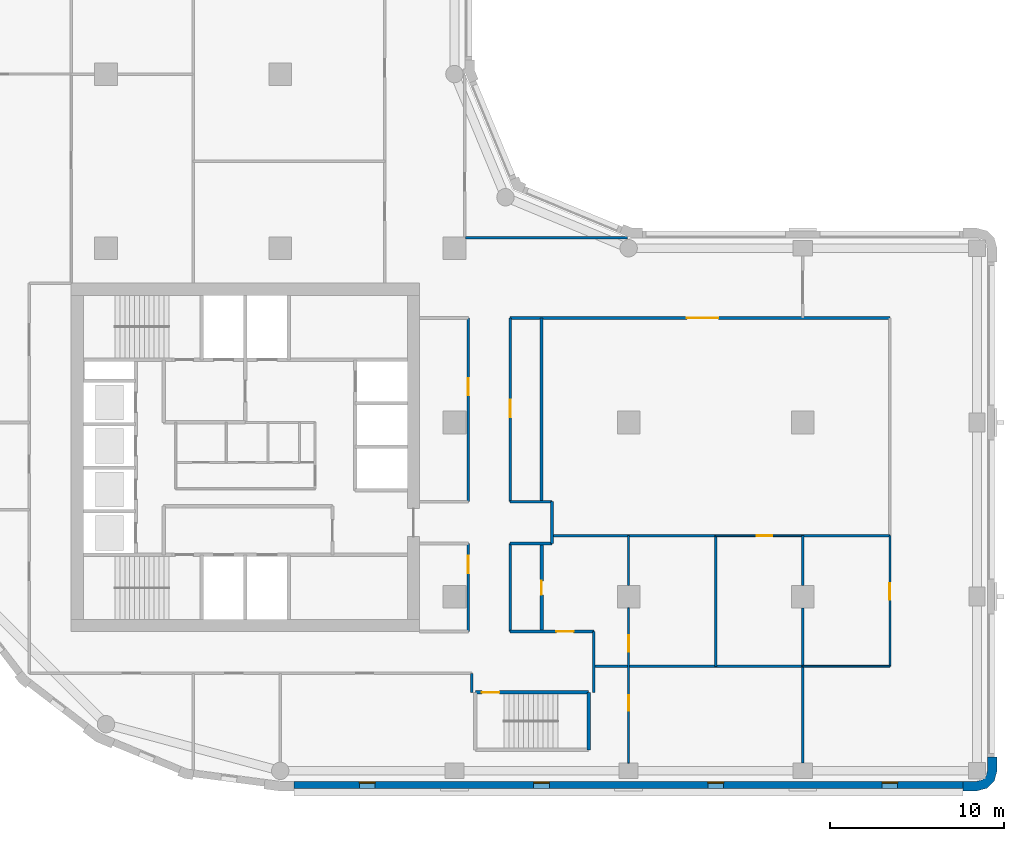
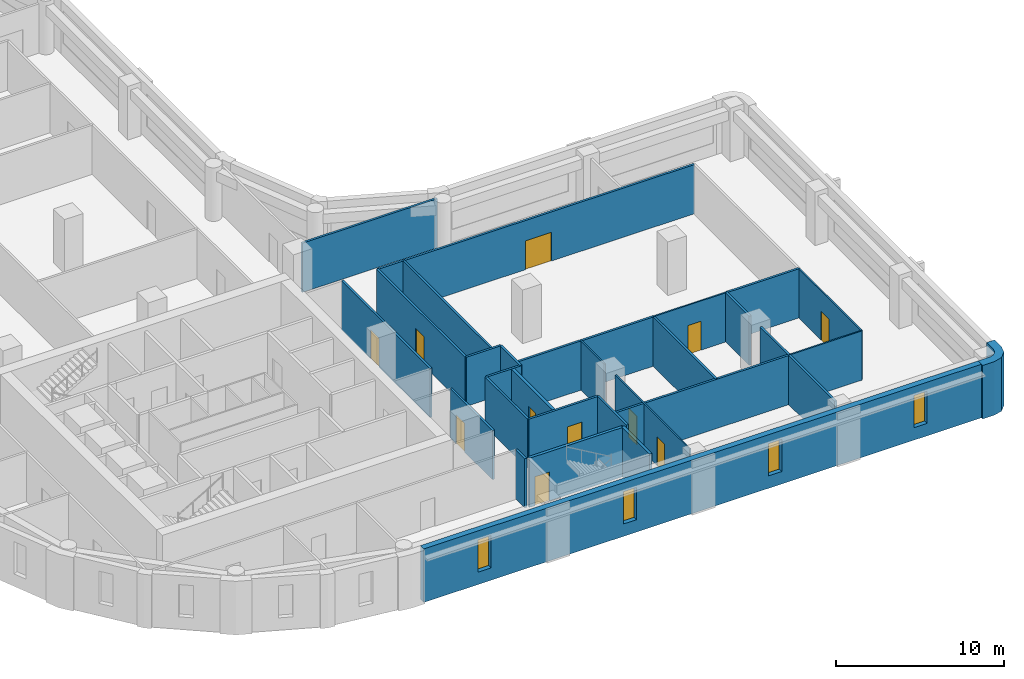
# One storey, part 4 of 10: 29 walls, 11 doors, 4 windows, 15 openings.
"""IFC4 building model written with IfcOpenShell, lengths in metres."""

from ifc_helpers import new_model, si_unit, direction, frame, frame_2d, origin, place, context, subcontext, project, spatial, polyline, rectangle, outline, extrude, material, layer, layer_set, type_object, element, fill, save


model = new_model("IFC4")

# Units and contexts
model_context = context("Model", 3, precision=1e-05, world=origin(), true_north=direction((0.0, 1.0)))
body_context = subcontext(model_context, "Body", "Model", "MODEL_VIEW")
ifc_project = project(units=[si_unit("LENGTHUNIT", "METRE"), si_unit("AREAUNIT", "SQUARE_METRE"), si_unit("VOLUMEUNIT", "CUBIC_METRE"), si_unit("PLANEANGLEUNIT", "RADIAN"), si_unit("MASSUNIT", "GRAM", prefix="KILO")], contexts=[model_context])

# Site, building, storey
site_placement = place(None, origin())
site = spatial("IfcSite", under=ifc_project, at=site_placement, CompositionType="ELEMENT")
building_placement = place(site_placement, origin())
building = spatial("IfcBuilding", under=site, at=building_placement, Name="Qaws Garden Tower", CompositionType="ELEMENT")
storey_placement = place(building_placement, frame((0.0, 0.0, 201.89990234375)))
storey = spatial("IfcBuildingStorey", under=building, at=storey_placement, Name="L49", CompositionType="ELEMENT", Elevation=201.89990234375)

# Wall, opening, door
ifc_material_1 = material(Name="Blockwork", Category="masonry")
ifc_layer_1 = layer(ifc_material_1, 0.199951171875)
ifc_layer_set_1 = layer_set([ifc_layer_1], Name="Blockwork")
wall_type_1 = type_object("IfcWallType", Name="BLOCK WALL 200 EI 60", PredefinedType="PARTITIONING", material=ifc_layer_set_1)
wall_1_placement = place(storey_placement, frame((35.0, 8.0, 0.0), z_axis=(0.0, 0.0, 1.0), x_axis=(0.0, 1.0, 0.0)))
wall_1 = element("IfcWall", 1, at=wall_1_placement, inside=storey, type_object=wall_type_1, Name="O-L49-wall-063", PredefinedType="PARTITIONING", context=body_context, shape_type="SweptSolid", body=[
    extrude(rectangle(XDim=5.050048828125, YDim=0.199951171875, at=frame_2d((2.52490234375, 0.0))), origin(), (0.0, 0.0, 1.0), 3.580078125),
])
opening_1_placement = place(wall_1_placement, frame((2.10009765625, 0.0, 0.0)))
opening_1 = element("IfcOpeningElement", 2, at=opening_1_placement, cuts=wall_1, Name="Opening B729", PredefinedType="OPENING", context=body_context, shape_type="SweptSolid", body=[
    extrude(rectangle(XDim=0.800048828125, YDim=2.10009765625, at=frame_2d((0.39990234375, 1.050048828125))), frame((0.0, 0.10986328125, 0.0), z_axis=(0.0, -1.0, 0.0), x_axis=(1.0, 0.0, 0.0)), (0.0, 0.0, 1.0), 0.219970703125),
])
ifc_material_2 = material(Name="Timber door leaf", Category="wood")
door_type_1 = type_object("IfcDoorType", Name="STORE DOOR 800 X 2100", OperationType="SINGLE_SWING_LEFT", PredefinedType="DOOR", material=ifc_material_2)
door_1_placement = place(opening_1_placement, origin())
door_1 = element("IfcDoor", 3, at=door_1_placement, inside=storey, type_object=door_type_1, Name="O-L49-door-029", OperationType="SINGLE_SWING_RIGHT", OverallHeight=2.10009765625, OverallWidth=0.800048828125, PredefinedType="DOOR", context=body_context, shape_type="SweptSolid", body=[
    extrude(rectangle(XDim=0.800048828125, YDim=2.10009765625, at=frame_2d((0.39990234375, 1.050048828125))), frame((0.0, 0.02490234375, 0.0), z_axis=(0.0, -1.0, 0.0), x_axis=(1.0, 0.0, 0.0)), (0.0, 0.0, 1.0), 0.050048828125),
])
fill(opening_1, door_1)

# Wall
ifc_material_3 = material(Name="Clay facing brick masonry", Category="masonry")
ifc_layer_2 = layer(ifc_material_3, 0.550048828125)
ifc_layer_set_2 = layer_set([ifc_layer_2], Name="Clay facing brick masonry")
wall_type_2 = type_object("IfcWallType", Name="Brick corner pier 550 x 2400", PredefinedType="SOLIDWALL", material=ifc_layer_set_2)
wall_2_placement = place(storey_placement, origin())
element("IfcWall", 4, at=wall_2_placement, inside=storey, type_object=wall_type_2, Name="E-L49-pier-04", PredefinedType="SOLIDWALL", context=body_context, shape_type="SweptSolid", body=[
    extrude(outline(polyline([(59.199951171875, -1.0), (59.199951171875, -1.14990234375), (60.0, -1.14990234375), (60.574951171875, -0.995849609375), (60.995849609375, -0.574951171875), (61.14990234375, 0.0), (61.14990234375, 0.800048828125), (61.0, 0.800048828125), (60.60009765625, 0.800048828125), (60.60009765625, 0.0), (60.51953125, -0.300048828125), (60.300048828125, -0.51953125), (60.0, -0.60009765625), (59.199951171875, -0.60009765625), (59.199951171875, -1.0)])), origin(), (0.0, 0.0, 1.0), 3.900146484375),
])

# Wall, openings, windows
ifc_material_4 = material(Name="Clay facing brick masonry", Category="masonry")
ifc_layer_3 = layer(ifc_material_4, 0.39990234375)
ifc_layer_set_3 = layer_set([ifc_layer_3], Name="Clay facing brick masonry")
wall_type_3 = type_object("IfcWallType", Name="Brick infill wall 400", PredefinedType="SOLIDWALL", material=ifc_layer_set_3)
wall_3_placement = place(storey_placement, frame((20.800048828125, -0.800048828125, 0.0), z_axis=(0.0, 0.0, 1.0), x_axis=(1.0, 0.0, 0.0)))
wall_3 = element("IfcWall", 5, at=wall_3_placement, inside=storey, type_object=wall_type_3, Name="E-L49-infill-00", PredefinedType="SOLIDWALL", context=body_context, shape_type="SweptSolid", body=[
    extrude(rectangle(XDim=38.39990234375, YDim=0.39990234375, at=frame_2d((19.199951171875, 0.0))), origin(), (0.0, 0.0, 1.0), 3.900146484375),
])
opening_2_placement = place(wall_3_placement, frame((3.75, 0.0, 0.89990234375)))
opening_2 = element("IfcOpeningElement", 6, at=opening_2_placement, cuts=wall_3, Name="Opening W09", PredefinedType="OPENING", context=body_context, shape_type="SweptSolid", body=[
    extrude(rectangle(XDim=0.89990234375, YDim=2.35009765625, at=frame_2d((0.449951171875, 1.175048828125))), frame((0.0, 0.2099609375, 0.0), z_axis=(0.0, -1.0, 0.0), x_axis=(1.0, 0.0, 0.0)), (0.0, 0.0, 1.0), 0.419921875),
])
opening_3_placement = place(wall_3_placement, frame((13.75, 0.0, 0.89990234375)))
opening_3 = element("IfcOpeningElement", 7, at=opening_3_placement, cuts=wall_3, Name="Opening W09", PredefinedType="OPENING", context=body_context, shape_type="SweptSolid", body=[
    extrude(rectangle(XDim=0.89990234375, YDim=2.35009765625, at=frame_2d((0.449951171875, 1.175048828125))), frame((0.0, 0.2099609375, 0.0), z_axis=(0.0, -1.0, 0.0), x_axis=(1.0, 0.0, 0.0)), (0.0, 0.0, 1.0), 0.419921875),
])
opening_4_placement = place(wall_3_placement, frame((23.75, 0.0, 0.89990234375)))
opening_4 = element("IfcOpeningElement", 8, at=opening_4_placement, cuts=wall_3, Name="Opening W09", PredefinedType="OPENING", context=body_context, shape_type="SweptSolid", body=[
    extrude(rectangle(XDim=0.89990234375, YDim=2.35009765625, at=frame_2d((0.449951171875, 1.175048828125))), frame((0.0, 0.2099609375, 0.0), z_axis=(0.0, -1.0, 0.0), x_axis=(1.0, 0.0, 0.0)), (0.0, 0.0, 1.0), 0.419921875),
])
opening_5_placement = place(wall_3_placement, frame((33.75, 0.0, 0.89990234375)))
opening_5 = element("IfcOpeningElement", 9, at=opening_5_placement, cuts=wall_3, Name="Opening W09", PredefinedType="OPENING", context=body_context, shape_type="SweptSolid", body=[
    extrude(rectangle(XDim=0.89990234375, YDim=2.35009765625, at=frame_2d((0.449951171875, 1.175048828125))), frame((0.0, 0.2099609375, 0.0), z_axis=(0.0, -1.0, 0.0), x_axis=(1.0, 0.0, 0.0)), (0.0, 0.0, 1.0), 0.419921875),
])
ifc_material_5 = material(Name="Aluminium framed window, clear glazing", Category="aluminium")
window_type = type_object("IfcWindowType", Name="Slit window 900 x 2350", PartitioningType="SINGLE_PANEL", PredefinedType="WINDOW", material=ifc_material_5)
window_1_placement = place(opening_2_placement, origin())
window_1 = element("IfcWindow", 10, at=window_1_placement, inside=storey, type_object=window_type, Name="E-L49-window-00-0", OverallHeight=2.35009765625, OverallWidth=0.89990234375, PartitioningType="SINGLE_PANEL", PredefinedType="WINDOW", context=body_context, shape_type="SweptSolid", body=[
    extrude(rectangle(XDim=0.89990234375, YDim=2.35009765625, at=frame_2d((0.449951171875, 1.175048828125))), frame((0.0, 0.159912109375, 0.0), z_axis=(0.0, -1.0, 0.0), x_axis=(1.0, 0.0, 0.0)), (0.0, 0.0, 1.0), 0.06005859375),
])
fill(opening_2, window_1)
window_2_placement = place(opening_3_placement, origin())
window_2 = element("IfcWindow", 11, at=window_2_placement, inside=storey, type_object=window_type, Name="E-L49-window-01-0", OverallHeight=2.35009765625, OverallWidth=0.89990234375, PartitioningType="SINGLE_PANEL", PredefinedType="WINDOW", context=body_context, shape_type="SweptSolid", body=[
    extrude(rectangle(XDim=0.89990234375, YDim=2.35009765625, at=frame_2d((0.449951171875, 1.175048828125))), frame((0.0, 0.159912109375, 0.0), z_axis=(0.0, -1.0, 0.0), x_axis=(1.0, 0.0, 0.0)), (0.0, 0.0, 1.0), 0.06005859375),
])
fill(opening_3, window_2)
window_3_placement = place(opening_4_placement, origin())
window_3 = element("IfcWindow", 12, at=window_3_placement, inside=storey, type_object=window_type, Name="E-L49-window-02-0", OverallHeight=2.35009765625, OverallWidth=0.89990234375, PartitioningType="SINGLE_PANEL", PredefinedType="WINDOW", context=body_context, shape_type="SweptSolid", body=[
    extrude(rectangle(XDim=0.89990234375, YDim=2.35009765625, at=frame_2d((0.449951171875, 1.175048828125))), frame((0.0, 0.159912109375, 0.0), z_axis=(0.0, -1.0, 0.0), x_axis=(1.0, 0.0, 0.0)), (0.0, 0.0, 1.0), 0.06005859375),
])
fill(opening_4, window_3)
window_4_placement = place(opening_5_placement, origin())
window_4 = element("IfcWindow", 13, at=window_4_placement, inside=storey, type_object=window_type, Name="E-L49-window-03-0", OverallHeight=2.35009765625, OverallWidth=0.89990234375, PartitioningType="SINGLE_PANEL", PredefinedType="WINDOW", context=body_context, shape_type="SweptSolid", body=[
    extrude(rectangle(XDim=0.89990234375, YDim=2.35009765625, at=frame_2d((0.449951171875, 1.175048828125))), frame((0.0, 0.159912109375, 0.0), z_axis=(0.0, -1.0, 0.0), x_axis=(1.0, 0.0, 0.0)), (0.0, 0.0, 1.0), 0.06005859375),
])
fill(opening_5, window_4)

# Wall, opening, door
ifc_material_6 = material(Name="Concrete C70", Category="concrete")
ifc_layer_4 = layer(ifc_material_6, 0.199951171875)
ifc_layer_set_4 = layer_set([ifc_layer_4], Name="Concrete C70")
wall_type_4 = type_object("IfcWallType", Name="Core shaft wall 200 C70", PredefinedType="SHEAR", material=ifc_layer_set_4)
wall_4_placement = place(storey_placement, frame((31.199951171875, 4.5, 0.0), z_axis=(0.0, 0.0, 1.0), x_axis=(1.0, 0.0, 0.0)))
wall_4 = element("IfcWall", 14, at=wall_4_placement, inside=storey, type_object=wall_type_4, Name="Shaft wall", PredefinedType="SHEAR", context=body_context, shape_type="SweptSolid", body=[
    extrude(rectangle(XDim=6.5, YDim=0.199951171875, at=frame_2d((3.25, 0.0))), origin(), (0.0, 0.0, 1.0), 3.580078125),
])
opening_6_placement = place(wall_4_placement, frame((0.375, 0.0, 0.0)))
opening_6 = element("IfcOpeningElement", 15, at=opening_6_placement, cuts=wall_4, Name="Opening SD12", PredefinedType="OPENING", context=body_context, shape_type="SweptSolid", body=[
    extrude(rectangle(XDim=1.0, YDim=2.10009765625, at=frame_2d((0.5, 1.050048828125))), frame((0.0, 0.10986328125, 0.0), z_axis=(0.0, -1.0, 0.0), x_axis=(1.0, 0.0, 0.0)), (0.0, 0.0, 1.0), 0.219970703125),
])
ifc_material_7 = material(Name="Steel S235", Category="steel")
door_type_2 = type_object("IfcDoorType", Name="Stair door 1000x2100", OperationType="SINGLE_SWING_RIGHT", PredefinedType="DOOR", material=ifc_material_7)
door_2_placement = place(opening_6_placement, frame((1.0, 0.0, 0.0), z_axis=(0.0, 0.0, 1.0), x_axis=(-1.0, 0.0, 0.0)))
door_2 = element("IfcDoor", 16, at=door_2_placement, inside=storey, type_object=door_type_2, Name="Stair 5 door", OperationType="SINGLE_SWING_RIGHT", OverallHeight=2.10009765625, OverallWidth=1.0, PredefinedType="DOOR", context=body_context, shape_type="SweptSolid", body=[
    extrude(rectangle(XDim=1.0, YDim=2.10009765625, at=frame_2d((0.5, 1.050048828125))), frame((0.0, 0.02490234375, 0.0), z_axis=(0.0, -1.0, 0.0), x_axis=(1.0, 0.0, 0.0)), (0.0, 0.0, 1.0), 0.050048828125),
])
fill(opening_6, door_2)

# Wall
wall_5_placement = place(storey_placement, frame((37.699951171875, 1.199951171875, 0.0), z_axis=(0.0, 0.0, 1.0), x_axis=(0.0, 1.0, 0.0)))
element("IfcWall", 17, at=wall_5_placement, inside=storey, type_object=wall_type_4, Name="Shaft wall", PredefinedType="SHEAR", context=body_context, shape_type="SweptSolid", body=[
    extrude(rectangle(XDim=3.300048828125, YDim=0.199951171875, at=frame_2d((1.64990234375, 0.0))), origin(), (0.0, 0.0, 1.0), 3.580078125),
])

# Wall, openings, doors
ifc_material_8 = material(Name="Gypsum board partition")
ifc_layer_5 = layer(ifc_material_8, 0.10009765625)
ifc_layer_set_5 = layer_set([ifc_layer_5], Name="Gypsum board partition")
wall_type_5 = type_object("IfcWallType", Name="PARTITION 100", PredefinedType="PARTITIONING", material=ifc_layer_set_5)
wall_6_placement = place(storey_placement, frame((40.0, 0.449951171875, 0.0), z_axis=(0.0, 0.0, 1.0), x_axis=(0.0, 1.0, 0.0)))
wall_6 = element("IfcWall", 18, at=wall_6_placement, inside=storey, type_object=wall_type_5, Name="O-L49-wall-003", PredefinedType="PARTITIONING", context=body_context, shape_type="SweptSolid", body=[
    extrude(rectangle(XDim=8.900146484375, YDim=0.10009765625, at=frame_2d((4.4501953125, 0.0))), origin(), (0.0, 0.0, 1.0), 3.580078125),
])
opening_7_placement = place(wall_6_placement, frame((6.375, 0.0, 0.0)))
opening_7 = element("IfcOpeningElement", 19, at=opening_7_placement, cuts=wall_6, Name="Opening B722", PredefinedType="OPENING", context=body_context, shape_type="SweptSolid", body=[
    extrude(rectangle(XDim=0.949951171875, YDim=2.10009765625, at=frame_2d((0.47509765625, 1.050048828125))), frame((0.0, 0.06005859375, 0.0), z_axis=(0.0, -1.0, 0.0), x_axis=(1.0, 0.0, 0.0)), (0.0, 0.0, 1.0), 0.1201171875),
])
opening_8_placement = place(wall_6_placement, frame((3.0, 0.0, 0.0)))
opening_8 = element("IfcOpeningElement", 20, at=opening_8_placement, cuts=wall_6, Name="Opening B725", PredefinedType="OPENING", context=body_context, shape_type="SweptSolid", body=[
    extrude(rectangle(XDim=0.89990234375, YDim=2.10009765625, at=frame_2d((0.449951171875, 1.050048828125))), frame((0.0, 0.06005859375, 0.0), z_axis=(0.0, -1.0, 0.0), x_axis=(1.0, 0.0, 0.0)), (0.0, 0.0, 1.0), 0.1201171875),
])
ifc_material_9 = material(Name="Timber and glass door leaf", Category="wood")
door_type_3 = type_object("IfcDoorType", Name="GLAZED DOOR 950 X 2100", OperationType="SINGLE_SWING_LEFT", PredefinedType="DOOR", material=ifc_material_9)
door_3_placement = place(opening_7_placement, origin())
door_3 = element("IfcDoor", 21, at=door_3_placement, inside=storey, type_object=door_type_3, Name="O-L49-door-022", OperationType="SINGLE_SWING_LEFT", OverallHeight=2.10009765625, OverallWidth=0.949951171875, PredefinedType="DOOR", context=body_context, shape_type="SweptSolid", body=[
    extrude(rectangle(XDim=0.949951171875, YDim=2.10009765625, at=frame_2d((0.47509765625, 1.050048828125))), frame((0.0, 0.02490234375, 0.0), z_axis=(0.0, -1.0, 0.0), x_axis=(1.0, 0.0, 0.0)), (0.0, 0.0, 1.0), 0.050048828125),
])
fill(opening_7, door_3)
ifc_material_10 = material(Name="Timber door leaf", Category="wood")
door_type_4 = type_object("IfcDoorType", Name="OFFICE DOOR 900 X 2100", OperationType="SINGLE_SWING_LEFT", PredefinedType="DOOR", material=ifc_material_10)
door_4_placement = place(opening_8_placement, frame((0.89990234375, 0.0, 0.0), z_axis=(0.0, 0.0, 1.0), x_axis=(-1.0, 0.0, 0.0)))
door_4 = element("IfcDoor", 22, at=door_4_placement, inside=storey, type_object=door_type_4, Name="O-L49-door-025", OperationType="SINGLE_SWING_LEFT", OverallHeight=2.10009765625, OverallWidth=0.89990234375, PredefinedType="DOOR", context=body_context, shape_type="SweptSolid", body=[
    extrude(rectangle(XDim=0.89990234375, YDim=2.10009765625, at=frame_2d((0.449951171875, 1.050048828125))), frame((0.0, 0.02490234375, 0.0), z_axis=(0.0, -1.0, 0.0), x_axis=(1.0, 0.0, 0.0)), (0.0, 0.0, 1.0), 0.050048828125),
])
fill(opening_8, door_4)

# Wall
wall_7_placement = place(storey_placement, frame((40.0, 10.64990234375, 0.0), z_axis=(0.0, 0.0, 1.0), x_axis=(0.0, 1.0, 0.0)))
element("IfcWall", 23, at=wall_7_placement, inside=storey, type_object=wall_type_5, Name="O-L49-wall-004", PredefinedType="PARTITIONING", context=body_context, shape_type="SweptSolid", body=[
    extrude(rectangle(XDim=2.85009765625, YDim=0.10009765625, at=frame_2d((1.425048828125, 0.0))), origin(), (0.0, 0.0, 1.0), 3.580078125),
])

# Wall, opening, door
wall_8_placement = place(storey_placement, frame((55.0, 6.0, 0.0), z_axis=(0.0, 0.0, 1.0), x_axis=(0.0, 1.0, 0.0)))
wall_8 = element("IfcWall", 24, at=wall_8_placement, inside=storey, type_object=wall_type_5, Name="O-L49-wall-005", PredefinedType="PARTITIONING", context=body_context, shape_type="SweptSolid", body=[
    extrude(rectangle(XDim=7.5, YDim=0.10009765625, at=frame_2d((3.75, 0.0))), origin(), (0.0, 0.0, 1.0), 3.580078125),
])
opening_9_placement = place(wall_8_placement, frame((3.824951171875, 0.0, 0.0)))
opening_9 = element("IfcOpeningElement", 25, at=opening_9_placement, cuts=wall_8, Name="Opening B724", PredefinedType="OPENING", context=body_context, shape_type="SweptSolid", body=[
    extrude(rectangle(XDim=0.949951171875, YDim=2.10009765625, at=frame_2d((0.47509765625, 1.050048828125))), frame((0.0, 0.06005859375, 0.0), z_axis=(0.0, -1.0, 0.0), x_axis=(1.0, 0.0, 0.0)), (0.0, 0.0, 1.0), 0.1201171875),
])
door_5_placement = place(opening_9_placement, origin())
door_5 = element("IfcDoor", 26, at=door_5_placement, inside=storey, type_object=door_type_3, Name="O-L49-door-024", OperationType="SINGLE_SWING_RIGHT", OverallHeight=2.10009765625, OverallWidth=0.949951171875, PredefinedType="DOOR", context=body_context, shape_type="SweptSolid", body=[
    extrude(rectangle(XDim=0.949951171875, YDim=2.10009765625, at=frame_2d((0.47509765625, 1.050048828125))), frame((0.0, 0.02490234375, 0.0), z_axis=(0.0, -1.0, 0.0), x_axis=(1.0, 0.0, 0.0)), (0.0, 0.0, 1.0), 0.050048828125),
])
fill(opening_9, door_5)

# Wall
wall_9_placement = place(storey_placement, frame((50.0, 6.0, 0.0), z_axis=(0.0, 0.0, 1.0), x_axis=(1.0, 0.0, 0.0)))
element("IfcWall", 27, at=wall_9_placement, inside=storey, type_object=wall_type_5, Name="O-L49-wall-006", PredefinedType="PARTITIONING", context=body_context, shape_type="SweptSolid", body=[
    extrude(rectangle(XDim=5.0, YDim=0.10009765625, at=frame_2d((2.5, 0.0))), origin(), (0.0, 0.0, 1.0), 3.580078125),
])

# Wall, opening, door
wall_10_placement = place(storey_placement, frame((45.0, 13.5, 0.0), z_axis=(0.0, 0.0, 1.0), x_axis=(1.0, 0.0, 0.0)))
wall_10 = element("IfcWall", 28, at=wall_10_placement, inside=storey, type_object=wall_type_5, Name="O-L49-wall-007", PredefinedType="PARTITIONING", context=body_context, shape_type="SweptSolid", body=[
    extrude(rectangle(XDim=5.0, YDim=0.10009765625, at=frame_2d((2.5, 0.0))), origin(), (0.0, 0.0, 1.0), 3.580078125),
])
opening_10_placement = place(wall_10_placement, frame((2.35009765625, 0.0, 0.0)))
opening_10 = element("IfcOpeningElement", 29, at=opening_10_placement, cuts=wall_10, Name="Opening B723", PredefinedType="OPENING", context=body_context, shape_type="SweptSolid", body=[
    extrude(rectangle(XDim=0.89990234375, YDim=2.10009765625, at=frame_2d((0.449951171875, 1.050048828125))), frame((0.0, 0.06005859375, 0.0), z_axis=(0.0, -1.0, 0.0), x_axis=(1.0, 0.0, 0.0)), (0.0, 0.0, 1.0), 0.1201171875),
])
door_6_placement = place(opening_10_placement, frame((0.89990234375, 0.0, 0.0), z_axis=(0.0, 0.0, 1.0), x_axis=(-1.0, 0.0, 0.0)))
door_6 = element("IfcDoor", 30, at=door_6_placement, inside=storey, type_object=door_type_4, Name="O-L49-door-023", OperationType="SINGLE_SWING_RIGHT", OverallHeight=2.10009765625, OverallWidth=0.89990234375, PredefinedType="DOOR", context=body_context, shape_type="SweptSolid", body=[
    extrude(rectangle(XDim=0.89990234375, YDim=2.10009765625, at=frame_2d((0.449951171875, 1.050048828125))), frame((0.0, 0.02490234375, 0.0), z_axis=(0.0, -1.0, 0.0), x_axis=(1.0, 0.0, 0.0)), (0.0, 0.0, 1.0), 0.050048828125),
])
fill(opening_10, door_6)

ifc_material_11 = material(Name="Gypsum board partition")
ifc_layer_6 = layer(ifc_material_11, 0.14990234375)
ifc_layer_set_6 = layer_set([ifc_layer_6], Name="Gypsum board partition")
wall_type_6 = type_object("IfcWallType", Name="PARTITION 150 EI 60", PredefinedType="PARTITIONING", material=ifc_layer_set_6)
wall_11_placement = place(storey_placement, frame((30.800048828125, 8.0, 0.0), z_axis=(0.0, 0.0, 1.0), x_axis=(0.0, 1.0, 0.0)))
wall_11 = element("IfcWall", 31, at=wall_11_placement, inside=storey, type_object=wall_type_6, Name="O-L49-wall-021", PredefinedType="PARTITIONING", context=body_context, shape_type="SweptSolid", body=[
    extrude(rectangle(XDim=5.050048828125, YDim=0.14990234375, at=frame_2d((2.52490234375, 0.0))), origin(), (0.0, 0.0, 1.0), 3.580078125),
])
opening_11_placement = place(wall_11_placement, frame((3.35009765625, 0.0, 0.0)))
opening_11 = element("IfcOpeningElement", 32, at=opening_11_placement, cuts=wall_11, Name="Opening B721", PredefinedType="OPENING", context=body_context, shape_type="SweptSolid", body=[
    extrude(rectangle(XDim=1.0, YDim=2.10009765625, at=frame_2d((0.5, 1.050048828125))), frame((0.0, 0.0849609375, 0.0), z_axis=(0.0, -1.0, 0.0), x_axis=(1.0, 0.0, 0.0)), (0.0, 0.0, 1.0), 0.169921875),
])
ifc_material_12 = material(Name="Timber door leaf", Category="wood")
door_type_5 = type_object("IfcDoorType", Name="TENANCY ENTRANCE DOOR 1000 X 2100", OperationType="SINGLE_SWING_LEFT", PredefinedType="DOOR", material=ifc_material_12)
door_7_placement = place(opening_11_placement, origin())
door_7 = element("IfcDoor", 33, at=door_7_placement, inside=storey, type_object=door_type_5, Name="O-L49-door-021", OperationType="SINGLE_SWING_RIGHT", OverallHeight=2.10009765625, OverallWidth=1.0, PredefinedType="DOOR", context=body_context, shape_type="SweptSolid", body=[
    extrude(rectangle(XDim=1.0, YDim=2.10009765625, at=frame_2d((0.5, 1.050048828125))), frame((0.0, 0.02490234375, 0.0), z_axis=(0.0, -1.0, 0.0), x_axis=(1.0, 0.0, 0.0)), (0.0, 0.0, 1.0), 0.050048828125),
])
fill(opening_11, door_7)

wall_12_placement = place(storey_placement, frame((30.800048828125, 15.449951171875, 0.0), z_axis=(0.0, 0.0, 1.0), x_axis=(0.0, 1.0, 0.0)))
wall_12 = element("IfcWall", 34, at=wall_12_placement, inside=storey, type_object=wall_type_6, Name="O-L49-wall-022", PredefinedType="PARTITIONING", context=body_context, shape_type="SweptSolid", body=[
    extrude(rectangle(XDim=10.550048828125, YDim=0.14990234375, at=frame_2d((5.27490234375, 0.0))), origin(), (0.0, 0.0, 1.0), 3.580078125),
])
opening_12_placement = place(wall_12_placement, frame((6.10009765625, 0.0, 0.0)))
opening_12 = element("IfcOpeningElement", 35, at=opening_12_placement, cuts=wall_12, Name="Opening B719", PredefinedType="OPENING", context=body_context, shape_type="SweptSolid", body=[
    extrude(rectangle(XDim=1.0, YDim=2.10009765625, at=frame_2d((0.5, 1.050048828125))), frame((0.0, 0.0849609375, 0.0), z_axis=(0.0, -1.0, 0.0), x_axis=(1.0, 0.0, 0.0)), (0.0, 0.0, 1.0), 0.169921875),
])
door_8_placement = place(opening_12_placement, origin())
door_8 = element("IfcDoor", 36, at=door_8_placement, inside=storey, type_object=door_type_5, Name="O-L49-door-019", OperationType="SINGLE_SWING_RIGHT", OverallHeight=2.10009765625, OverallWidth=1.0, PredefinedType="DOOR", context=body_context, shape_type="SweptSolid", body=[
    extrude(rectangle(XDim=1.0, YDim=2.10009765625, at=frame_2d((0.5, 1.050048828125))), frame((0.0, 0.02490234375, 0.0), z_axis=(0.0, -1.0, 0.0), x_axis=(1.0, 0.0, 0.0)), (0.0, 0.0, 1.0), 0.050048828125),
])
fill(opening_12, door_8)

# Walls
wall_13_placement = place(storey_placement, frame((31.0, 4.5, 0.0), z_axis=(0.0, 0.0, 1.0), x_axis=(0.0, 1.0, 0.0)))
element("IfcWall", 37, at=wall_13_placement, inside=storey, type_object=wall_type_6, Name="O-L49-wall-023", PredefinedType="PARTITIONING", context=body_context, shape_type="SweptSolid", body=[
    extrude(rectangle(XDim=1.10009765625, YDim=0.14990234375, at=frame_2d((0.550048828125, 0.0))), origin(), (0.0, 0.0, 1.0), 3.580078125),
])
wall_14_placement = place(storey_placement, frame((33.199951171875, 8.0, 0.0), z_axis=(0.0, 0.0, 1.0), x_axis=(0.0, 1.0, 0.0)))
element("IfcWall", 38, at=wall_14_placement, inside=storey, type_object=wall_type_6, Name="O-L49-wall-024", PredefinedType="PARTITIONING", context=body_context, shape_type="SweptSolid", body=[
    extrude(rectangle(XDim=5.050048828125, YDim=0.14990234375, at=frame_2d((2.52490234375, 0.0))), origin(), (0.0, 0.0, 1.0), 3.580078125),
])

# Wall, opening, door
wall_15_placement = place(storey_placement, frame((33.199951171875, 15.449951171875, 0.0), z_axis=(0.0, 0.0, 1.0), x_axis=(0.0, 1.0, 0.0)))
wall_15 = element("IfcWall", 39, at=wall_15_placement, inside=storey, type_object=wall_type_6, Name="O-L49-wall-025", PredefinedType="PARTITIONING", context=body_context, shape_type="SweptSolid", body=[
    extrude(rectangle(XDim=10.550048828125, YDim=0.14990234375, at=frame_2d((5.27490234375, 0.0))), origin(), (0.0, 0.0, 1.0), 3.580078125),
])
opening_13_placement = place(wall_15_placement, frame((4.85009765625, 0.0, 0.0)))
opening_13 = element("IfcOpeningElement", 40, at=opening_13_placement, cuts=wall_15, Name="Opening B718", PredefinedType="OPENING", context=body_context, shape_type="SweptSolid", body=[
    extrude(rectangle(XDim=1.0, YDim=2.10009765625, at=frame_2d((0.5, 1.050048828125))), frame((0.0, 0.0849609375, 0.0), z_axis=(0.0, -1.0, 0.0), x_axis=(1.0, 0.0, 0.0)), (0.0, 0.0, 1.0), 0.169921875),
])
door_9_placement = place(opening_13_placement, frame((1.0, 0.0, 0.0), z_axis=(0.0, 0.0, 1.0), x_axis=(-1.0, 0.0, 0.0)))
door_9 = element("IfcDoor", 41, at=door_9_placement, inside=storey, type_object=door_type_5, Name="O-L49-door-018", OperationType="SINGLE_SWING_LEFT", OverallHeight=2.10009765625, OverallWidth=1.0, PredefinedType="DOOR", context=body_context, shape_type="SweptSolid", body=[
    extrude(rectangle(XDim=1.0, YDim=2.10009765625, at=frame_2d((0.5, 1.050048828125))), frame((0.0, 0.02490234375, 0.0), z_axis=(0.0, -1.0, 0.0), x_axis=(1.0, 0.0, 0.0)), (0.0, 0.0, 1.0), 0.050048828125),
])
fill(opening_13, door_9)

# Walls
wall_16_placement = place(storey_placement, frame((35.0, 15.449951171875, 0.0), z_axis=(0.0, 0.0, 1.0), x_axis=(0.0, 1.0, 0.0)))
element("IfcWall", 42, at=wall_16_placement, inside=storey, type_object=wall_type_6, Name="O-L49-wall-026", PredefinedType="PARTITIONING", context=body_context, shape_type="SweptSolid", body=[
    extrude(rectangle(XDim=10.550048828125, YDim=0.14990234375, at=frame_2d((5.27490234375, 0.0))), origin(), (0.0, 0.0, 1.0), 3.580078125),
])
wall_17_placement = place(storey_placement, frame((35.60009765625, 13.050048828125, 0.0), z_axis=(0.0, 0.0, 1.0), x_axis=(0.0, 1.0, 0.0)))
element("IfcWall", 43, at=wall_17_placement, inside=storey, type_object=wall_type_6, Name="O-L49-wall-027", PredefinedType="PARTITIONING", context=body_context, shape_type="SweptSolid", body=[
    extrude(rectangle(XDim=2.39990234375, YDim=0.14990234375, at=frame_2d((1.199951171875, 0.0))), origin(), (0.0, 0.0, 1.0), 3.580078125),
])
wall_18_placement = place(storey_placement, frame((38.0, 4.5, 0.0), z_axis=(0.0, 0.0, 1.0), x_axis=(0.0, 1.0, 0.0)))
element("IfcWall", 44, at=wall_18_placement, inside=storey, type_object=wall_type_6, Name="O-L49-wall-028", PredefinedType="PARTITIONING", context=body_context, shape_type="SweptSolid", body=[
    extrude(rectangle(XDim=3.5, YDim=0.14990234375, at=frame_2d((1.75, 0.0))), origin(), (0.0, 0.0, 1.0), 3.580078125),
])
wall_19_placement = place(storey_placement, frame((45.0, 6.0, 0.0), z_axis=(0.0, 0.0, 1.0), x_axis=(0.0, 1.0, 0.0)))
element("IfcWall", 45, at=wall_19_placement, inside=storey, type_object=wall_type_6, Name="O-L49-wall-029", PredefinedType="PARTITIONING", context=body_context, shape_type="SweptSolid", body=[
    extrude(rectangle(XDim=7.5, YDim=0.14990234375, at=frame_2d((3.75, 0.0))), origin(), (0.0, 0.0, 1.0), 3.580078125),
])
wall_20_placement = place(storey_placement, frame((50.0, 0.449951171875, 0.0), z_axis=(0.0, 0.0, 1.0), x_axis=(0.0, 1.0, 0.0)))
element("IfcWall", 46, at=wall_20_placement, inside=storey, type_object=wall_type_6, Name="O-L49-wall-030", PredefinedType="PARTITIONING", context=body_context, shape_type="SweptSolid", body=[
    extrude(rectangle(XDim=8.900146484375, YDim=0.14990234375, at=frame_2d((4.4501953125, 0.0))), origin(), (0.0, 0.0, 1.0), 3.580078125),
])
wall_21_placement = place(storey_placement, frame((50.0, 10.64990234375, 0.0), z_axis=(0.0, 0.0, 1.0), x_axis=(0.0, 1.0, 0.0)))
element("IfcWall", 47, at=wall_21_placement, inside=storey, type_object=wall_type_6, Name="O-L49-wall-031", PredefinedType="PARTITIONING", context=body_context, shape_type="SweptSolid", body=[
    extrude(rectangle(XDim=2.85009765625, YDim=0.14990234375, at=frame_2d((1.425048828125, 0.0))), origin(), (0.0, 0.0, 1.0), 3.580078125),
])
wall_22_placement = place(storey_placement, frame((38.0, 6.0, 0.0), z_axis=(0.0, 0.0, 1.0), x_axis=(1.0, 0.0, 0.0)))
element("IfcWall", 48, at=wall_22_placement, inside=storey, type_object=wall_type_6, Name="O-L49-wall-035", PredefinedType="PARTITIONING", context=body_context, shape_type="SweptSolid", body=[
    extrude(rectangle(XDim=12.0, YDim=0.14990234375, at=frame_2d((6.0, 0.0))), origin(), (0.0, 0.0, 1.0), 3.580078125),
])

# Wall, opening, door
wall_23_placement = place(storey_placement, frame((33.199951171875, 8.0, 0.0), z_axis=(0.0, 0.0, 1.0), x_axis=(1.0, 0.0, 0.0)))
wall_23 = element("IfcWall", 49, at=wall_23_placement, inside=storey, type_object=wall_type_6, Name="O-L49-wall-037", PredefinedType="PARTITIONING", context=body_context, shape_type="SweptSolid", body=[
    extrude(rectangle(XDim=4.800048828125, YDim=0.14990234375, at=frame_2d((2.39990234375, 0.0))), origin(), (0.0, 0.0, 1.0), 3.580078125),
])
opening_14_placement = place(wall_23_placement, frame((2.64990234375, 0.0, 0.0)))
opening_14 = element("IfcOpeningElement", 50, at=opening_14_placement, cuts=wall_23, Name="Opening B703", PredefinedType="OPENING", context=body_context, shape_type="SweptSolid", body=[
    extrude(rectangle(XDim=1.0, YDim=2.10009765625, at=frame_2d((0.5, 1.050048828125))), frame((0.0, 0.0849609375, 0.0), z_axis=(0.0, -1.0, 0.0), x_axis=(1.0, 0.0, 0.0)), (0.0, 0.0, 1.0), 0.169921875),
])
door_10_placement = place(opening_14_placement, origin())
door_10 = element("IfcDoor", 51, at=door_10_placement, inside=storey, type_object=door_type_5, Name="O-L49-door-003", OperationType="SINGLE_SWING_LEFT", OverallHeight=2.10009765625, OverallWidth=1.0, PredefinedType="DOOR", context=body_context, shape_type="SweptSolid", body=[
    extrude(rectangle(XDim=1.0, YDim=2.10009765625, at=frame_2d((0.5, 1.050048828125))), frame((0.0, 0.02490234375, 0.0), z_axis=(0.0, -1.0, 0.0), x_axis=(1.0, 0.0, 0.0)), (0.0, 0.0, 1.0), 0.050048828125),
])
fill(opening_14, door_10)

# Walls
wall_24_placement = place(storey_placement, frame((33.199951171875, 13.050048828125, 0.0), z_axis=(0.0, 0.0, 1.0), x_axis=(1.0, 0.0, 0.0)))
element("IfcWall", 52, at=wall_24_placement, inside=storey, type_object=wall_type_6, Name="O-L49-wall-039", PredefinedType="PARTITIONING", context=body_context, shape_type="SweptSolid", body=[
    extrude(rectangle(XDim=2.400146484375, YDim=0.14990234375, at=frame_2d((1.2001953125, 0.0))), origin(), (0.0, 0.0, 1.0), 3.580078125),
])
wall_25_placement = place(storey_placement, frame((35.60009765625, 13.5, 0.0), z_axis=(0.0, 0.0, 1.0), x_axis=(1.0, 0.0, 0.0)))
element("IfcWall", 53, at=wall_25_placement, inside=storey, type_object=wall_type_6, Name="O-L49-wall-040", PredefinedType="PARTITIONING", context=body_context, shape_type="SweptSolid", body=[
    extrude(rectangle(XDim=9.39990234375, YDim=0.14990234375, at=frame_2d((4.699951171875, 0.0))), origin(), (0.0, 0.0, 1.0), 3.580078125),
])
wall_26_placement = place(storey_placement, frame((50.0, 13.5, 0.0), z_axis=(0.0, 0.0, 1.0), x_axis=(1.0, 0.0, 0.0)))
element("IfcWall", 54, at=wall_26_placement, inside=storey, type_object=wall_type_6, Name="O-L49-wall-041", PredefinedType="PARTITIONING", context=body_context, shape_type="SweptSolid", body=[
    extrude(rectangle(XDim=5.0, YDim=0.14990234375, at=frame_2d((2.5, 0.0))), origin(), (0.0, 0.0, 1.0), 3.580078125),
])
wall_27_placement = place(storey_placement, frame((33.199951171875, 15.449951171875, 0.0), z_axis=(0.0, 0.0, 1.0), x_axis=(1.0, 0.0, 0.0)))
element("IfcWall", 55, at=wall_27_placement, inside=storey, type_object=wall_type_6, Name="O-L49-wall-044", PredefinedType="PARTITIONING", context=body_context, shape_type="SweptSolid", body=[
    extrude(rectangle(XDim=2.400146484375, YDim=0.14990234375, at=frame_2d((1.2001953125, 0.0))), origin(), (0.0, 0.0, 1.0), 3.580078125),
])

# Wall, opening, door
wall_28_placement = place(storey_placement, frame((33.199951171875, 26.0, 0.0), z_axis=(0.0, 0.0, 1.0), x_axis=(1.0, 0.0, 0.0)))
wall_28 = element("IfcWall", 56, at=wall_28_placement, inside=storey, type_object=wall_type_6, Name="O-L49-wall-047", PredefinedType="PARTITIONING", context=body_context, shape_type="SweptSolid", body=[
    extrude(rectangle(XDim=21.800048828125, YDim=0.14990234375, at=frame_2d((10.89990234375, 0.0))), origin(), (0.0, 0.0, 1.0), 3.580078125),
])
opening_15_placement = place(wall_28_placement, frame((10.14990234375, 0.0, 0.0)))
opening_15 = element("IfcOpeningElement", 57, at=opening_15_placement, cuts=wall_28, Name="Opening B720", PredefinedType="OPENING", context=body_context, shape_type="SweptSolid", body=[
    extrude(rectangle(XDim=1.800048828125, YDim=2.10009765625, at=frame_2d((0.89990234375, 1.050048828125))), frame((0.0, 0.0849609375, 0.0), z_axis=(0.0, -1.0, 0.0), x_axis=(1.0, 0.0, 0.0)), (0.0, 0.0, 1.0), 0.169921875),
])
ifc_material_13 = material(Name="Timber door leaf", Category="wood")
door_type_6 = type_object("IfcDoorType", Name="DOUBLE DOOR 1800 X 2100", OperationType="DOUBLE_DOOR_SINGLE_SWING", PredefinedType="DOOR", material=ifc_material_13)
door_11_placement = place(opening_15_placement, frame((1.800048828125, 0.0, 0.0), z_axis=(0.0, 0.0, 1.0), x_axis=(-1.0, 0.0, 0.0)))
door_11 = element("IfcDoor", 58, at=door_11_placement, inside=storey, type_object=door_type_6, Name="O-L49-door-020", OperationType="DOUBLE_DOOR_SINGLE_SWING", OverallHeight=2.10009765625, OverallWidth=1.800048828125, PredefinedType="DOOR", context=body_context, shape_type="SweptSolid", body=[
    extrude(rectangle(XDim=1.800048828125, YDim=2.10009765625, at=frame_2d((0.89990234375, 1.050048828125))), frame((0.0, 0.02490234375, 0.0), z_axis=(0.0, -1.0, 0.0), x_axis=(1.0, 0.0, 0.0)), (0.0, 0.0, 1.0), 0.050048828125),
])
fill(opening_15, door_11)

# Wall
wall_29_placement = place(storey_placement, frame((30.64990234375, 30.60009765625, 0.0), z_axis=(0.0, 0.0, 1.0), x_axis=(1.0, 0.0, 0.0)))
element("IfcWall", 59, at=wall_29_placement, inside=storey, type_object=wall_type_6, Name="O-L49-wall-049", PredefinedType="PARTITIONING", context=body_context, shape_type="SweptSolid", body=[
    extrude(rectangle(XDim=9.288330078125, YDim=0.14990234375, at=frame_2d((4.64404296875, 0.0))), origin(), (0.0, 0.0, 1.0), 3.580078125),
])

save(model, "model.ifc")
